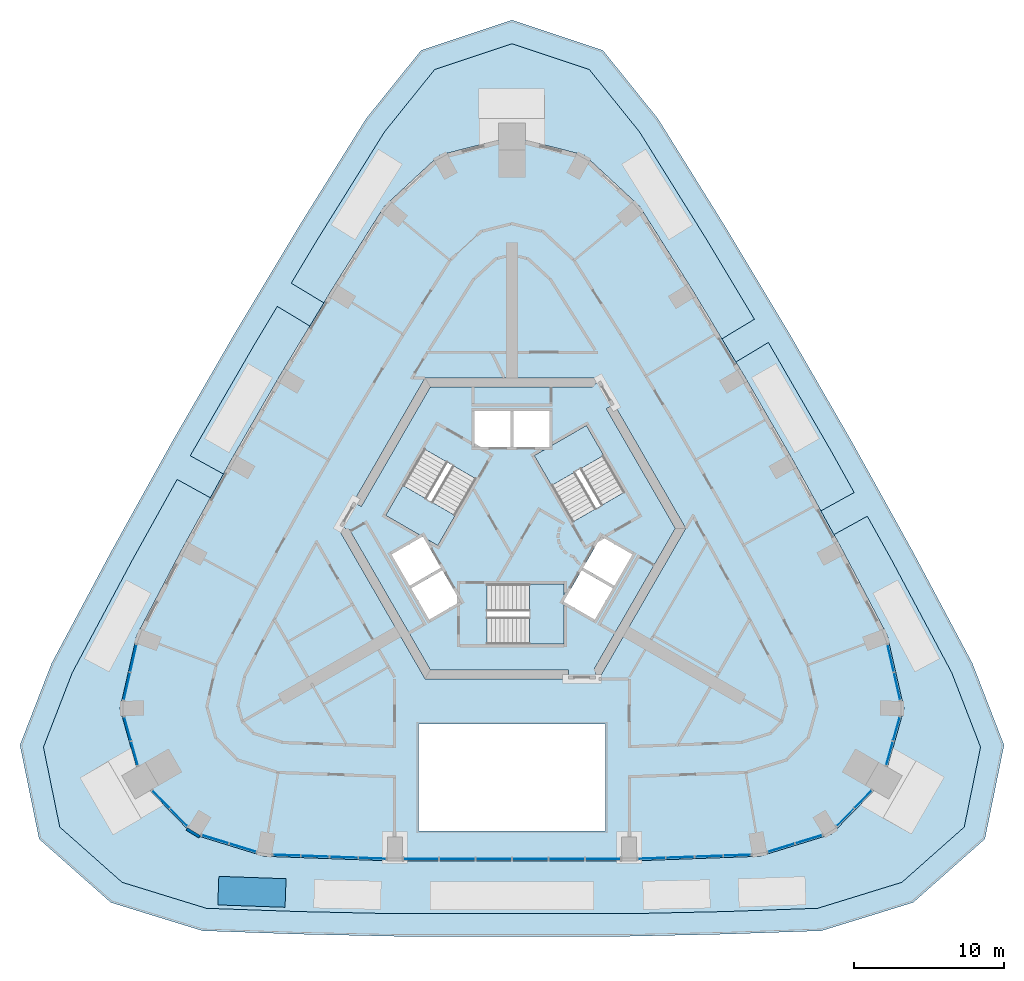
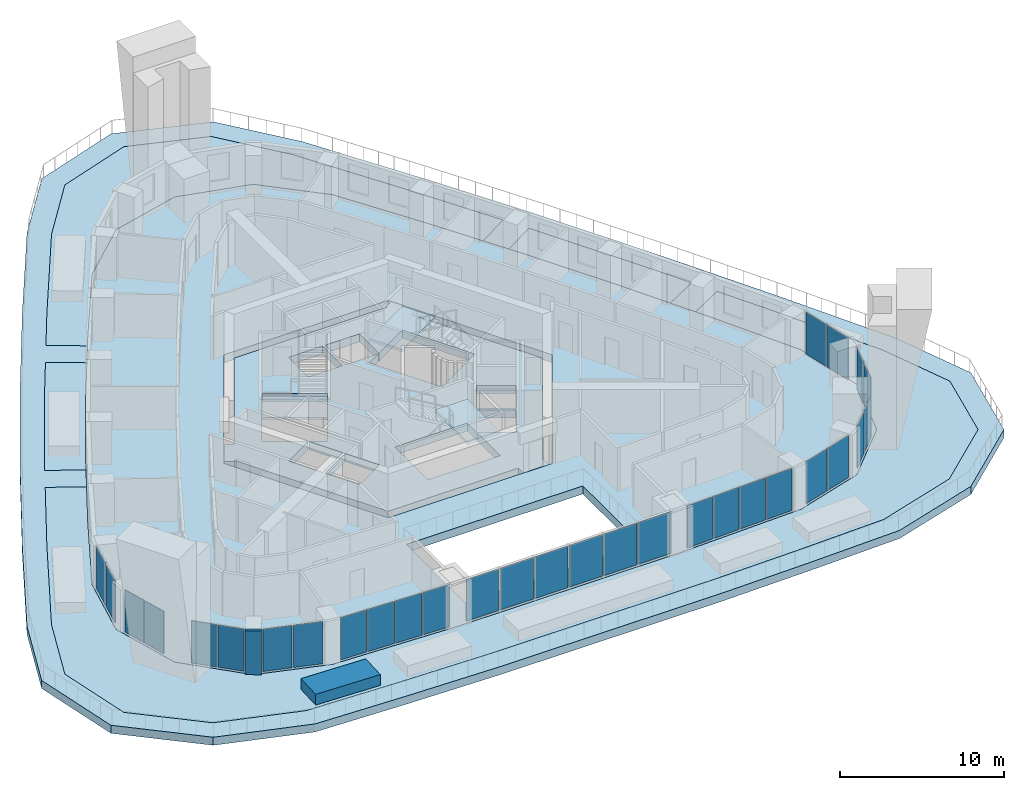
# One storey, part 4 of 14: 30 plates, 10 slabs, 2 walls, 14 elements without a shape of their own.
"""IFC4 building model written with IfcOpenShell, lengths in metres."""

import ifcopenshell
import ifcopenshell.guid

model = None  # the IFC model being written
_history = None  # IfcOwnerHistory: only IFC2X3 demands one
_inside = {}  # id of a spatial element -> (the spatial element, [elements in it])
_under = {}  # id of a project, library or spatial element -> (it, [spatial elements below it])
_declared = {}  # id of a project -> (the project, [libraries it declares])
_typed = {}  # id of a type object -> (the type object, [elements of that type])
_made_of = {}  # id of a material, layer set ... -> (it, [elements and type objects made of it])


def new_model(schema):
    """Start an empty IFC model of exactly this schema.

    Asked for "IFC4X3", IfcOpenShell would pick the latest addendum, in which some entities
    have other attributes; the version numbers below select the first issue.
    IFC2X3 requires an IfcOwnerHistory on every rooted entity: one is made here for all.
    """
    global model, _history
    if schema == "IFC4X3":
        model = ifcopenshell.file(schema_version=(4, 3, 0, 0))
    else:
        model = ifcopenshell.file(schema=schema)
    _inside.clear()
    _under.clear()
    _declared.clear()
    _typed.clear()
    _made_of.clear()
    _history = None
    if model.schema == "IFC2X3":
        org = make("IfcOrganization", Name="unknown")
        user = make(
            "IfcPersonAndOrganization",
            ThePerson=make("IfcPerson", FamilyName="unknown"),
            TheOrganization=org,
        )
        app = make(
            "IfcApplication",
            ApplicationDeveloper=org,
            Version="unknown",
            ApplicationFullName="unknown",
            ApplicationIdentifier="unknown",
        )
        _history = make(
            "IfcOwnerHistory",
            OwningUser=user,
            OwningApplication=app,
            ChangeAction="ADDED",
            CreationDate=0,
        )
    return model


def make(cls, **values):
    """One entity of the class cls with the attributes given. An attribute that is None is left unset."""
    return model.create_entity(
        cls, **{name: value for name, value in values.items() if value is not None}
    )


def rooted(cls, **values):
    """An entity with a GlobalId (a new one), such as an element, a storey or a relation."""
    return make(cls, GlobalId=ifcopenshell.guid.new(), OwnerHistory=_history, **values)


def si_unit(unit_type, name, prefix=None):
    """IfcSIUnit, for example si_unit("LENGTHUNIT", "METRE", prefix="MILLI")."""
    return make("IfcSIUnit", UnitType=unit_type, Prefix=prefix, Name=name)


def assignment(units):
    """IfcUnitAssignment: the units of a project."""
    return None if units is None else make("IfcUnitAssignment", Units=units)


def point(xyz):
    """IfcCartesianPoint."""
    return None if xyz is None else make("IfcCartesianPoint", Coordinates=xyz)


def direction(xyz):
    """IfcDirection."""
    return None if xyz is None else make("IfcDirection", DirectionRatios=xyz)


def frame(location, z_axis=None, x_axis=None):
    """IfcAxis2Placement3D, a coordinate frame: its origin and axes. An axis left out is left unset."""
    return make(
        "IfcAxis2Placement3D",
        Location=point(location),
        Axis=direction(z_axis),
        RefDirection=direction(x_axis),
    )


def frame_2d(location, x_axis=None):
    """IfcAxis2Placement2D, a coordinate frame in the plane: its origin and x axis."""
    return make(
        "IfcAxis2Placement2D", Location=point(location), RefDirection=direction(x_axis)
    )


def origin():
    """The frame at (0, 0, 0) with its axes left unset."""
    return frame((0.0, 0.0, 0.0))


def origin_2d():
    """The frame at (0, 0) in the plane with its x axis left unset."""
    return frame_2d((0.0, 0.0))


def place(relative_to, where):
    """IfcLocalPlacement: puts the frame where relative to a parent placement (None: the world)."""
    return make(
        "IfcLocalPlacement", PlacementRelTo=relative_to, RelativePlacement=where
    )


def context(
    kind, dimensions, precision=None, world=None, true_north=None, identifier=None
):
    """IfcGeometricRepresentationContext, for example the 3D "Model" context."""
    return make(
        "IfcGeometricRepresentationContext",
        ContextIdentifier=identifier,
        ContextType=kind,
        CoordinateSpaceDimension=dimensions,
        Precision=precision,
        WorldCoordinateSystem=world,
        TrueNorth=true_north,
    )


def subcontext(parent, identifier, kind, view, scale=None):
    """IfcGeometricRepresentationSubContext, for example "Body" below "Model"."""
    return make(
        "IfcGeometricRepresentationSubContext",
        ContextIdentifier=identifier,
        ContextType=kind,
        ParentContext=parent,
        TargetScale=scale,
        TargetView=view,
    )


def project(units=None, contexts=None):
    """IfcProject with its units and contexts."""
    return rooted(
        "IfcProject",
        Name="project",
        RepresentationContexts=contexts,
        UnitsInContext=assignment(units),
    )


def spatial(cls, under=None, at=None, **own):
    """A site, building, storey or space (cls), placed at a placement, below another one or the project."""
    s = rooted(cls, ObjectPlacement=at, **own)
    if under is not None:
        _under.setdefault(under.id(), (under, []))[1].append(s)
    return s


def polyline(points):
    """IfcPolyline through the points."""
    return make("IfcPolyline", Points=[point(p) for p in points])


def profile(cls, at=None, kind="AREA", **sizes):
    """A parametric profile (cls). Its sizes go by their IFC names, for example OverallWidth=200.0."""
    return make(cls, ProfileType=kind, Position=at, **sizes)


def rectangle(**sizes):
    """IfcRectangleProfileDef."""
    return profile("IfcRectangleProfileDef", **sizes)


def outline(outer, holes=None, kind="AREA"):
    """IfcArbitraryClosedProfileDef: a profile drawn as a closed curve; with holes, ...WithVoids."""
    if holes is None:
        return make("IfcArbitraryClosedProfileDef", ProfileType=kind, OuterCurve=outer)
    return make(
        "IfcArbitraryProfileDefWithVoids",
        ProfileType=kind,
        OuterCurve=outer,
        InnerCurves=holes,
    )


def extrude(swept, where, along, depth):
    """IfcExtrudedAreaSolid: the profile swept, set in the frame where, extruded along a direction by depth."""
    return make(
        "IfcExtrudedAreaSolid",
        SweptArea=swept,
        Position=where,
        ExtrudedDirection=direction(along),
        Depth=depth,
    )


def shape(context_of_items, identifier, shape_type, items):
    """IfcShapeRepresentation: the items that make up one representation, for example the "Body"."""
    return make(
        "IfcShapeRepresentation",
        ContextOfItems=context_of_items,
        RepresentationIdentifier=identifier,
        RepresentationType=shape_type,
        Items=items,
    )


def material(Name=None, Category=None):
    """IfcMaterial."""
    return make("IfcMaterial", Name=Name, Category=Category)


def layer(
    of_material, thickness, ventilated=None, Name=None, Category=None, Priority=None
):
    """IfcMaterialLayer: one layer of a wall or slab, of a material (None: an air gap)."""
    return make(
        "IfcMaterialLayer",
        Material=of_material,
        LayerThickness=thickness,
        IsVentilated=ventilated,
        Name=Name,
        Category=Category,
        Priority=Priority,
    )


def layer_set(layers, Name=None):
    """IfcMaterialLayerSet."""
    return make("IfcMaterialLayerSet", MaterialLayers=layers, LayerSetName=Name)


def made_of(thing, what):
    """Note that an element or type object is made of a material, layer set ...; save() writes the relation."""
    if what is not None:
        _made_of.setdefault(what.id(), (what, []))[1].append(thing)
    return thing


def type_object(cls, material=None, **own):
    """A type object (cls), such as IfcWallType, which elements share."""
    return made_of(rooted(cls, **own), material)


def element(
    cls,
    number,
    at=None,
    inside=None,
    cuts=None,
    type_object=None,
    material=None,
    context=None,
    identifier="Body",
    shape_type=None,
    held_by="IfcProductDefinitionShape",
    body=None,
    shapes=None,
    **own,
):
    """One element of the class cls, such as IfcWall. Its Tag is "e" and its number.

    at: its placement. inside: the storey or other place that contains it. cuts: it is an
    opening in that element (IfcRelVoidsElement). A single representation is given by context,
    identifier, shape_type and body (its items); several are given by shapes. held_by: the class
    of the entity that holds the representations. save() writes the other relations.
    """
    e = rooted(cls, Tag="e%d" % number, ObjectPlacement=at, **own)
    if body is not None:
        shapes = [shape(context, identifier, shape_type, body)]
    if shapes is not None:
        e.Representation = make(held_by, Representations=shapes)
    if inside is not None:
        _inside.setdefault(inside.id(), (inside, []))[1].append(e)
    if cuts is not None:
        rooted(
            "IfcRelVoidsElement", RelatingBuildingElement=cuts, RelatedOpeningElement=e
        )
    if type_object is not None:
        _typed.setdefault(type_object.id(), (type_object, []))[1].append(e)
    return made_of(e, material)


def aggregate(whole, parts):
    """IfcRelAggregates: a whole, such as a stair, and the parts it consists of."""
    return rooted("IfcRelAggregates", RelatingObject=whole, RelatedObjects=parts)


def save(model, path):
    """Write the relations noted so far, then the file.

    IfcRelAggregates (storeys below a building ...), IfcRelContainedInSpatialStructure (elements
    in a storey), IfcRelDefinesByType, IfcRelAssociatesMaterial and IfcRelDeclares: one each for
    every whole, place, type object, material and project.
    """
    for whole, parts in _under.values():
        aggregate(whole, parts)
    for where, things in _inside.values():
        rooted(
            "IfcRelContainedInSpatialStructure",
            RelatedElements=things,
            RelatingStructure=where,
        )
    for kind, things in _typed.values():
        rooted("IfcRelDefinesByType", RelatedObjects=things, RelatingType=kind)
    for what, things in _made_of.values():
        rooted("IfcRelAssociatesMaterial", RelatedObjects=things, RelatingMaterial=what)
    for by, libraries in _declared.values():
        rooted("IfcRelDeclares", RelatingContext=by, RelatedDefinitions=libraries)
    model.write(path)


model = new_model("IFC4")

# Units and contexts
model_context = context("Model", 3, precision=1e-05, world=origin(), true_north=direction((0.0, 1.0)))
body_context = subcontext(model_context, "Body", "Model", "MODEL_VIEW")
ifc_project = project(units=[si_unit("LENGTHUNIT", "METRE"), si_unit("AREAUNIT", "SQUARE_METRE"), si_unit("VOLUMEUNIT", "CUBIC_METRE"), si_unit("PLANEANGLEUNIT", "RADIAN"), si_unit("MASSUNIT", "GRAM", prefix="KILO")], contexts=[model_context])

# Site, building, storey
site_placement = place(None, origin())
site = spatial("IfcSite", under=ifc_project, at=site_placement, CompositionType="ELEMENT")
building_placement = place(site_placement, origin())
building = spatial("IfcBuilding", under=site, at=building_placement, Name="Entoto Arch Interchange Tower", CompositionType="ELEMENT")
storey_placement = place(building_placement, frame((0.0, 0.0, 241.39990234375)))
storey = spatial("IfcBuildingStorey", under=building, at=storey_placement, Name="L54", CompositionType="ELEMENT", Elevation=241.39990234375)

# Slab
ifc_material_1 = material(Name="Concrete C40/50", Category="concrete")
ifc_layer_1 = layer(ifc_material_1, 0.60009765625)
ifc_layer_set_1 = layer_set([ifc_layer_1], Name="Concrete C40/50")
slab_type_1 = type_object("IfcSlabType", Name="Core floor slab 600 C40/50", PredefinedType="FLOOR", material=ifc_layer_set_1)
slab_1_placement = place(storey_placement, frame((0.0, 0.0, -0.599853515625)))
element("IfcSlab", 1, at=slab_1_placement, inside=storey, type_object=slab_type_1, Name="Core floor slab L54", PredefinedType="FLOOR", context=body_context, shape_type="SweptSolid", body=[
    extrude(outline(polyline([(-10.824951171875, 2.450927734375), (-10.8701171875, 2.3740234375), (-11.431884765625, 2.698974609375), (-10.535888671875, 4.2529296875), (-10.014892578125, 3.952880859375), (-5.427001953125, 11.89990234375), (5.368896484375, 11.89990234375), (5.325927734375, 11.97607421875), (5.887939453125, 12.301025390625), (6.784912109375, 10.7470703125), (6.26611328125, 10.447021484375), (10.85400390625, 2.5), (5.4560546875, -6.85009765625), (5.5439453125, -6.85009765625), (5.5439453125, -7.5), (3.75, -7.5), (3.75, -6.89990234375), (-5.427001953125, -6.89990234375), (-10.824951171875, 2.450927734375)]), holes=[polyline([(-1.64990234375, -5.199951171875), (3.449951171875, -5.199951171875), (3.449951171875, -2.3779296875), (5.5048828125, -3.56494140625), (6.705078125, -1.487060546875), (4.626953125, -0.287109375), (3.449951171875, -2.324951171875), (3.449951171875, -1.199951171875), (-1.64990234375, -1.199951171875), (-1.64990234375, -5.199951171875)]), polyline([(-4.626953125, -0.287109375), (-6.705078125, -1.487060546875), (-5.5048828125, -3.56494140625), (-3.427001953125, -2.364990234375), (-4.626953125, -0.287109375)]), polyline([(-5.904052734375, 1.925048828125), (-4.928955078125, 1.362060546875), (-2.37890625, 5.779052734375), (-5.843017578125, 7.779052734375), (-8.39306640625, 3.362060546875), (-5.949951171875, 1.951904296875), (-8.0048828125, 0.764892578125), (-6.804931640625, -1.31298828125), (-4.72705078125, -0.113037109375), (-5.904052734375, 1.925048828125)]), polyline([(4.72705078125, -0.113037109375), (6.804931640625, -1.31298828125), (8.0048828125, 0.764892578125), (5.927001953125, 1.965087890625), (4.72705078125, -0.113037109375)]), polyline([(2.5, 7.927001953125), (2.5, 10.300048828125), (0.10009765625, 10.300048828125), (0.10009765625, 7.89990234375), (2.452880859375, 7.89990234375), (1.47900390625, 7.337890625), (4.029052734375, 2.9208984375), (7.492919921875, 4.9208984375), (4.943115234375, 9.337890625), (2.5, 7.927001953125)]), polyline([(-2.5, 7.89990234375), (-0.10009765625, 7.89990234375), (-0.10009765625, 10.300048828125), (-2.5, 10.300048828125), (-2.5, 7.89990234375)])]), origin(), (0.0, 0.0, 1.0), 0.599853515625),
])

# Stair, slab
stair_type = type_object("IfcStairType", Name="EXIT STAIR RC 1800", PredefinedType="HALF_TURN_STAIR", material=ifc_material_1)
stair_1_placement = place(storey_placement, origin())
stair_1 = element("IfcStair", 2, at=stair_1_placement, inside=storey, type_object=stair_type, Name="L54 Exit stair S", PredefinedType="HALF_TURN_STAIR")
ifc_layer_2 = layer(ifc_material_1, 0.199951171875)
ifc_layer_set_2 = layer_set([ifc_layer_2], Name="Concrete C40/50")
slab_type_2 = type_object("IfcSlabType", Name="EXIT STAIR LANDING RC 200", PredefinedType="LANDING", material=ifc_layer_set_2)
slab_2_placement = place(storey_placement, frame((0.0, 0.0, 1.60009765625)))
slab_2 = element("IfcSlab", 3, at=slab_2_placement, type_object=slab_type_2, Name="ST-S landing 1", PredefinedType="LANDING", context=body_context, shape_type="SweptSolid", body=[
    extrude(outline(polyline([(1.14990234375, -5.199951171875), (3.449951171875, -5.199951171875), (3.449951171875, -1.199951171875), (1.14990234375, -1.199951171875), (1.14990234375, -5.199951171875)])), origin(), (0.0, 0.0, 1.0), 0.199951171875),
])
aggregate(stair_1, [slab_2])

stair_2_placement = place(storey_placement, origin())
stair_2 = element("IfcStair", 4, at=stair_2_placement, inside=storey, type_object=stair_type, Name="L54 Exit stair NE", PredefinedType="HALF_TURN_STAIR")
slab_3_placement = place(storey_placement, frame((0.0, 0.0, 1.60009765625)))
slab_3 = element("IfcSlab", 5, at=slab_3_placement, type_object=slab_type_2, Name="ST-NE landing 1", PredefinedType="LANDING", context=body_context, shape_type="SweptSolid", body=[
    extrude(outline(polyline([(6.093505859375, 7.345947265625), (4.943359375, 9.337890625), (1.479248046875, 7.337890625), (2.62939453125, 5.345947265625), (6.093505859375, 7.345947265625)])), origin(), (0.0, 0.0, 1.0), 0.199951171875),
])
aggregate(stair_2, [slab_3])

stair_3_placement = place(storey_placement, origin())
stair_3 = element("IfcStair", 6, at=stair_3_placement, inside=storey, type_object=stair_type, Name="L54 Exit stair NW", PredefinedType="HALF_TURN_STAIR")
slab_4_placement = place(storey_placement, frame((0.0, 0.0, 1.60009765625)))
slab_4 = element("IfcSlab", 7, at=slab_4_placement, type_object=slab_type_2, Name="ST-NW landing 1", PredefinedType="LANDING", context=body_context, shape_type="SweptSolid", body=[
    extrude(outline(polyline([(-7.243408203125, 5.35400390625), (-8.393310546875, 3.3623046875), (-4.92919921875, 1.3623046875), (-3.779296875, 3.35400390625), (-7.243408203125, 5.35400390625)])), origin(), (0.0, 0.0, 1.0), 0.199951171875),
])
aggregate(stair_3, [slab_4])

# Curtain wall, plates
ifc_material_2 = material(Name="Aluminium, anodised", Category="aluminium")
curtain_wall_type_1 = type_object("IfcCurtainWallType", Name="CURTAIN WALL ATRIUM", PredefinedType="NOTDEFINED", material=ifc_material_2)
curtain_wall_1_placement = place(storey_placement, origin())
curtain_wall_1 = element("IfcCurtainWall", 8, at=curtain_wall_1_placement, inside=storey, type_object=curtain_wall_type_1, Name="Atrium glazing S-02 L54", PredefinedType="NOTDEFINED")
ifc_material_3 = material(Name="Clear glass, low-e double glazed", Category="glass")
ifc_layer_3 = layer(ifc_material_3, 0.031982421875)
ifc_layer_set_3 = layer_set([ifc_layer_3], Name="Clear glass, low-e double glazed")
plate_type_1 = type_object("IfcPlateType", Name="GLAZING PANEL ATRIUM 32", PredefinedType="CURTAIN_PANEL", material=ifc_layer_set_3)
plate_1_placement = place(storey_placement, frame((-6.0576171875, -19.48291015625, 0.080078125), z_axis=(0.0, 0.0, 1.0), x_axis=(1.0, 0.0, 0.0)))
plate_1 = element("IfcPlate", 9, at=plate_1_placement, type_object=plate_type_1, Name="CWA panel 1.1", PredefinedType="CURTAIN_PANEL", context=body_context, shape_type="SweptSolid", body=[
    extrude(rectangle(XDim=2.282958984375, YDim=0.031982421875, at=origin_2d()), origin(), (0.0, 0.0, 1.0), 3.10009765625),
])
plate_2_placement = place(storey_placement, frame((-3.6494140625, -19.48291015625, 0.080078125), z_axis=(0.0, 0.0, 1.0), x_axis=(1.0, 0.0, 0.0)))
plate_2 = element("IfcPlate", 10, at=plate_2_placement, type_object=plate_type_1, Name="CWA panel 2.1", PredefinedType="CURTAIN_PANEL", context=body_context, shape_type="SweptSolid", body=[
    extrude(rectangle(XDim=2.3330078125, YDim=0.031982421875, at=origin_2d()), origin(), (0.0, 0.0, 1.0), 3.10009765625),
])
plate_3_placement = place(storey_placement, frame((-1.216552734375, -19.48291015625, 0.080078125), z_axis=(0.0, 0.0, 1.0), x_axis=(1.0, 0.0, 0.0)))
plate_3 = element("IfcPlate", 11, at=plate_3_placement, type_object=plate_type_1, Name="CWA panel 3.1", PredefinedType="CURTAIN_PANEL", context=body_context, shape_type="SweptSolid", body=[
    extrude(rectangle(XDim=2.3330078125, YDim=0.031982421875, at=origin_2d()), origin(), (0.0, 0.0, 1.0), 3.10009765625),
])
plate_4_placement = place(storey_placement, frame((1.216552734375, -19.48291015625, 0.080078125), z_axis=(0.0, 0.0, 1.0), x_axis=(1.0, 0.0, 0.0)))
plate_4 = element("IfcPlate", 12, at=plate_4_placement, type_object=plate_type_1, Name="CWA panel 4.1", PredefinedType="CURTAIN_PANEL", context=body_context, shape_type="SweptSolid", body=[
    extrude(rectangle(XDim=2.3330078125, YDim=0.031982421875, at=origin_2d()), origin(), (0.0, 0.0, 1.0), 3.10009765625),
])
plate_5_placement = place(storey_placement, frame((3.6494140625, -19.48291015625, 0.080078125), z_axis=(0.0, 0.0, 1.0), x_axis=(1.0, 0.0, 0.0)))
plate_5 = element("IfcPlate", 13, at=plate_5_placement, type_object=plate_type_1, Name="CWA panel 5.1", PredefinedType="CURTAIN_PANEL", context=body_context, shape_type="SweptSolid", body=[
    extrude(rectangle(XDim=2.3330078125, YDim=0.031982421875, at=origin_2d()), origin(), (0.0, 0.0, 1.0), 3.10009765625),
])
plate_6_placement = place(storey_placement, frame((6.0576171875, -19.48291015625, 0.080078125), z_axis=(0.0, 0.0, 1.0), x_axis=(1.0, 0.0, 0.0)))
plate_6 = element("IfcPlate", 14, at=plate_6_placement, type_object=plate_type_1, Name="CWA panel 6.1", PredefinedType="CURTAIN_PANEL", context=body_context, shape_type="SweptSolid", body=[
    extrude(rectangle(XDim=2.282958984375, YDim=0.031982421875, at=origin_2d()), origin(), (0.0, 0.0, 1.0), 3.10009765625),
])
aggregate(curtain_wall_1, [plate_1, plate_2, plate_3, plate_4, plate_5, plate_6])

curtain_wall_type_2 = type_object("IfcCurtainWallType", Name="CURTAIN WALL HOTEL LOBBY", PredefinedType="NOTDEFINED", material=ifc_material_2)
curtain_wall_2_placement = place(storey_placement, origin())
curtain_wall_2 = element("IfcCurtainWall", 15, at=curtain_wall_2_placement, inside=storey, type_object=curtain_wall_type_2, Name="Hotel Lobby glazing S-01 L54", PredefinedType="NOTDEFINED")
ifc_layer_4 = layer(ifc_material_3, 0.028076171875)
ifc_layer_set_4 = layer_set([ifc_layer_4], Name="Clear glass, low-e double glazed")
plate_type_2 = type_object("IfcPlateType", Name="GLAZING PANEL HOTEL LOBBY 28", PredefinedType="CURTAIN_PANEL", material=ifc_layer_set_4)
plate_7_placement = place(storey_placement, frame((-14.978515625, -19.220703125, 0.06005859375), z_axis=(0.0, 0.0, 1.0), x_axis=(0.999332588664, -0.036529128561, 0.0)))
plate_7 = element("IfcPlate", 16, at=plate_7_placement, type_object=plate_type_2, Name="CWH panel 1.1", PredefinedType="CURTAIN_PANEL", context=body_context, shape_type="SweptSolid", body=[
    extrude(rectangle(XDim=1.79638671875, YDim=0.028076171875, at=origin_2d()), origin(), (0.0, 0.0, 1.0), 3.139892578125),
])
plate_8_placement = place(storey_placement, frame((-13.08349609375, -19.2900390625, 0.06005859375), z_axis=(0.0, 0.0, 1.0), x_axis=(0.999332588664, -0.036529128561, 0.0)))
plate_8 = element("IfcPlate", 17, at=plate_8_placement, type_object=plate_type_2, Name="CWH panel 2.1", PredefinedType="CURTAIN_PANEL", context=body_context, shape_type="SweptSolid", body=[
    extrude(rectangle(XDim=1.836181640625, YDim=0.028076171875, at=origin_2d()), origin(), (0.0, 0.0, 1.0), 3.139892578125),
])
plate_9_placement = place(storey_placement, frame((-11.16845703125, -19.360107421875, 0.06005859375), z_axis=(0.0, 0.0, 1.0), x_axis=(0.999332588664, -0.036529128561, 0.0)))
plate_9 = element("IfcPlate", 18, at=plate_9_placement, type_object=plate_type_2, Name="CWH panel 3.1", PredefinedType="CURTAIN_PANEL", context=body_context, shape_type="SweptSolid", body=[
    extrude(rectangle(XDim=1.836181640625, YDim=0.028076171875, at=origin_2d()), origin(), (0.0, 0.0, 1.0), 3.139892578125),
])
plate_10_placement = place(storey_placement, frame((-9.2734375, -19.42919921875, 0.06005859375), z_axis=(0.0, 0.0, 1.0), x_axis=(0.999332588664, -0.036529128561, 0.0)))
plate_10 = element("IfcPlate", 19, at=plate_10_placement, type_object=plate_type_2, Name="CWH panel 4.1", PredefinedType="CURTAIN_PANEL", context=body_context, shape_type="SweptSolid", body=[
    extrude(rectangle(XDim=1.79638671875, YDim=0.028076171875, at=origin_2d()), origin(), (0.0, 0.0, 1.0), 3.139892578125),
])
aggregate(curtain_wall_2, [plate_7, plate_8, plate_9, plate_10])

curtain_wall_3_placement = place(storey_placement, origin())
curtain_wall_3 = element("IfcCurtainWall", 20, at=curtain_wall_3_placement, inside=storey, type_object=curtain_wall_type_2, Name="Hotel Lobby glazing S-03 L54", PredefinedType="NOTDEFINED")
plate_11_placement = place(storey_placement, frame((9.2734375, -19.42919921875, 0.06005859375), z_axis=(0.0, 0.0, 1.0), x_axis=(0.999332588664, 0.036529128561, 0.0)))
plate_11 = element("IfcPlate", 21, at=plate_11_placement, type_object=plate_type_2, Name="CWH panel 1.1", PredefinedType="CURTAIN_PANEL", context=body_context, shape_type="SweptSolid", body=[
    extrude(rectangle(XDim=1.79638671875, YDim=0.028076171875, at=origin_2d()), origin(), (0.0, 0.0, 1.0), 3.139892578125),
])
plate_12_placement = place(storey_placement, frame((11.16845703125, -19.360107421875, 0.06005859375), z_axis=(0.0, 0.0, 1.0), x_axis=(0.999332588664, 0.036529128561, 0.0)))
plate_12 = element("IfcPlate", 22, at=plate_12_placement, type_object=plate_type_2, Name="CWH panel 2.1", PredefinedType="CURTAIN_PANEL", context=body_context, shape_type="SweptSolid", body=[
    extrude(rectangle(XDim=1.836181640625, YDim=0.028076171875, at=origin_2d()), origin(), (0.0, 0.0, 1.0), 3.139892578125),
])
plate_13_placement = place(storey_placement, frame((13.08349609375, -19.2900390625, 0.06005859375), z_axis=(0.0, 0.0, 1.0), x_axis=(0.999332588664, 0.036529128561, 0.0)))
plate_13 = element("IfcPlate", 23, at=plate_13_placement, type_object=plate_type_2, Name="CWH panel 3.1", PredefinedType="CURTAIN_PANEL", context=body_context, shape_type="SweptSolid", body=[
    extrude(rectangle(XDim=1.836181640625, YDim=0.028076171875, at=origin_2d()), origin(), (0.0, 0.0, 1.0), 3.139892578125),
])
plate_14_placement = place(storey_placement, frame((14.978515625, -19.220703125, 0.06005859375), z_axis=(0.0, 0.0, 1.0), x_axis=(0.999332588664, 0.036529128561, 0.0)))
plate_14 = element("IfcPlate", 24, at=plate_14_placement, type_object=plate_type_2, Name="CWH panel 4.1", PredefinedType="CURTAIN_PANEL", context=body_context, shape_type="SweptSolid", body=[
    extrude(rectangle(XDim=1.79638671875, YDim=0.028076171875, at=origin_2d()), origin(), (0.0, 0.0, 1.0), 3.139892578125),
])
aggregate(curtain_wall_3, [plate_11, plate_12, plate_13, plate_14])

curtain_wall_4_placement = place(storey_placement, origin())
curtain_wall_4 = element("IfcCurtainWall", 25, at=curtain_wall_4_placement, inside=storey, type_object=curtain_wall_type_2, Name="Hotel Lobby glazing SE-01 L54", PredefinedType="NOTDEFINED")
plate_15_placement = place(storey_placement, frame((17.892333984375, -18.724609375, 0.06005859375), z_axis=(0.0, 0.0, 1.0), x_axis=(0.95567931817, 0.294409647977, 0.0)))
plate_15 = element("IfcPlate", 26, at=plate_15_placement, type_object=plate_type_2, Name="CWH panel 1.1", PredefinedType="CURTAIN_PANEL", context=body_context, shape_type="SweptSolid", body=[
    extrude(rectangle(XDim=1.8330078125, YDim=0.028076171875, at=origin_2d()), origin(), (0.0, 0.0, 1.0), 3.139892578125),
])
plate_16_placement = place(storey_placement, frame((19.720703125, -18.161376953125, 0.06005859375), z_axis=(0.0, 0.0, 1.0), x_axis=(0.95567931817, 0.294409647977, 0.0)))
plate_16 = element("IfcPlate", 27, at=plate_16_placement, type_object=plate_type_2, Name="CWH panel 2.1", PredefinedType="CURTAIN_PANEL", context=body_context, shape_type="SweptSolid", body=[
    extrude(rectangle(XDim=1.8330078125, YDim=0.028076171875, at=origin_2d()), origin(), (0.0, 0.0, 1.0), 3.139892578125),
])
aggregate(curtain_wall_4, [plate_15, plate_16])

curtain_wall_5_placement = place(storey_placement, origin())
curtain_wall_5 = element("IfcCurtainWall", 28, at=curtain_wall_5_placement, inside=storey, type_object=curtain_wall_type_2, Name="Hotel Lobby glazing SE-02 L54", PredefinedType="NOTDEFINED")
plate_17_placement = place(storey_placement, frame((22.146728515625, -16.7099609375, 0.06005859375), z_axis=(0.0, 0.0, 1.0), x_axis=(0.698392396883, 0.715715068987, 0.0)))
plate_17 = element("IfcPlate", 29, at=plate_17_placement, type_object=plate_type_2, Name="CWH panel 1.1", PredefinedType="CURTAIN_PANEL", context=body_context, shape_type="SweptSolid", body=[
    extrude(rectangle(XDim=1.61181640625, YDim=0.028076171875, at=origin_2d()), origin(), (0.0, 0.0, 1.0), 3.139892578125),
])
plate_18_placement = place(storey_placement, frame((23.328369140625, -15.4990234375, 0.06005859375), z_axis=(0.0, 0.0, 1.0), x_axis=(0.698392396883, 0.715715068987, 0.0)))
plate_18 = element("IfcPlate", 30, at=plate_18_placement, type_object=plate_type_2, Name="CWH panel 2.1", PredefinedType="CURTAIN_PANEL", context=body_context, shape_type="SweptSolid", body=[
    extrude(rectangle(XDim=1.61181640625, YDim=0.028076171875, at=origin_2d()), origin(), (0.0, 0.0, 1.0), 3.139892578125),
])
aggregate(curtain_wall_5, [plate_17, plate_18])

curtain_wall_6_placement = place(storey_placement, origin())
curtain_wall_6 = element("IfcCurtainWall", 31, at=curtain_wall_6_placement, inside=storey, type_object=curtain_wall_type_2, Name="Hotel Lobby glazing SE-03 L54", PredefinedType="NOTDEFINED")
plate_19_placement = place(storey_placement, frame((25.086181640625, -12.453857421875, 0.06005859375), z_axis=(0.0, 0.0, 1.0), x_axis=(0.2709461181, 0.962594515404, 0.0)))
plate_19 = element("IfcPlate", 32, at=plate_19_placement, type_object=plate_type_2, Name="CWH panel 1.1", PredefinedType="CURTAIN_PANEL", context=body_context, shape_type="SweptSolid", body=[
    extrude(rectangle(XDim=1.61279296875, YDim=0.028076171875, at=origin_2d()), origin(), (0.0, 0.0, 1.0), 3.139892578125),
])
plate_20_placement = place(storey_placement, frame((25.544921875, -10.82421875, 0.06005859375), z_axis=(0.0, 0.0, 1.0), x_axis=(0.2709461181, 0.962594515404, 0.0)))
plate_20 = element("IfcPlate", 33, at=plate_20_placement, type_object=plate_type_2, Name="CWH panel 2.1", PredefinedType="CURTAIN_PANEL", context=body_context, shape_type="SweptSolid", body=[
    extrude(rectangle(XDim=1.61279296875, YDim=0.028076171875, at=origin_2d()), origin(), (0.0, 0.0, 1.0), 3.139892578125),
])
aggregate(curtain_wall_6, [plate_19, plate_20])

curtain_wall_7_placement = place(storey_placement, origin())
curtain_wall_7 = element("IfcCurtainWall", 34, at=curtain_wall_7_placement, inside=storey, type_object=curtain_wall_type_2, Name="Hotel Lobby glazing SE-04 L54", PredefinedType="NOTDEFINED")
plate_21_placement = place(storey_placement, frame((25.588134765625, -7.99755859375, 0.06005859375), z_axis=(0.0, 0.0, 1.0), x_axis=(-0.222727481374, 0.974880746061, 0.0)))
plate_21 = element("IfcPlate", 35, at=plate_21_placement, type_object=plate_type_2, Name="CWH panel 1.1", PredefinedType="CURTAIN_PANEL", context=body_context, shape_type="SweptSolid", body=[
    extrude(rectangle(XDim=1.8330078125, YDim=0.028076171875, at=origin_2d()), origin(), (0.0, 0.0, 1.0), 3.139892578125),
])
plate_22_placement = place(storey_placement, frame((25.161865234375, -6.132568359375, 0.06005859375), z_axis=(0.0, 0.0, 1.0), x_axis=(-0.222727481374, 0.974880746061, 0.0)))
plate_22 = element("IfcPlate", 36, at=plate_22_placement, type_object=plate_type_2, Name="CWH panel 2.1", PredefinedType="CURTAIN_PANEL", context=body_context, shape_type="SweptSolid", body=[
    extrude(rectangle(XDim=1.8330078125, YDim=0.028076171875, at=origin_2d()), origin(), (0.0, 0.0, 1.0), 3.139892578125),
])
aggregate(curtain_wall_7, [plate_21, plate_22])

curtain_wall_8_placement = place(storey_placement, origin())
curtain_wall_8 = element("IfcCurtainWall", 37, at=curtain_wall_8_placement, inside=storey, type_object=curtain_wall_type_2, Name="Hotel Lobby glazing SW-01 L54", PredefinedType="NOTDEFINED")
plate_23_placement = place(storey_placement, frame((-25.161865234375, -6.132568359375, 0.06005859375), z_axis=(0.0, 0.0, 1.0), x_axis=(-0.222727481374, -0.974880746061, 0.0)))
plate_23 = element("IfcPlate", 38, at=plate_23_placement, type_object=plate_type_2, Name="CWH panel 1.1", PredefinedType="CURTAIN_PANEL", context=body_context, shape_type="SweptSolid", body=[
    extrude(rectangle(XDim=1.8330078125, YDim=0.028076171875, at=origin_2d()), origin(), (0.0, 0.0, 1.0), 3.139892578125),
])
plate_24_placement = place(storey_placement, frame((-25.588134765625, -7.99755859375, 0.06005859375), z_axis=(0.0, 0.0, 1.0), x_axis=(-0.222727481374, -0.974880746061, 0.0)))
plate_24 = element("IfcPlate", 39, at=plate_24_placement, type_object=plate_type_2, Name="CWH panel 2.1", PredefinedType="CURTAIN_PANEL", context=body_context, shape_type="SweptSolid", body=[
    extrude(rectangle(XDim=1.8330078125, YDim=0.028076171875, at=origin_2d()), origin(), (0.0, 0.0, 1.0), 3.139892578125),
])
aggregate(curtain_wall_8, [plate_23, plate_24])

curtain_wall_9_placement = place(storey_placement, origin())
curtain_wall_9 = element("IfcCurtainWall", 40, at=curtain_wall_9_placement, inside=storey, type_object=curtain_wall_type_2, Name="Hotel Lobby glazing SW-02 L54", PredefinedType="NOTDEFINED")
plate_25_placement = place(storey_placement, frame((-25.544921875, -10.82421875, 0.06005859375), z_axis=(0.0, 0.0, 1.0), x_axis=(0.2709461181, -0.962594515404, 0.0)))
plate_25 = element("IfcPlate", 41, at=plate_25_placement, type_object=plate_type_2, Name="CWH panel 1.1", PredefinedType="CURTAIN_PANEL", context=body_context, shape_type="SweptSolid", body=[
    extrude(rectangle(XDim=1.61279296875, YDim=0.028076171875, at=origin_2d()), origin(), (0.0, 0.0, 1.0), 3.139892578125),
])
plate_26_placement = place(storey_placement, frame((-25.086181640625, -12.453857421875, 0.06005859375), z_axis=(0.0, 0.0, 1.0), x_axis=(0.2709461181, -0.962594515404, 0.0)))
plate_26 = element("IfcPlate", 42, at=plate_26_placement, type_object=plate_type_2, Name="CWH panel 2.1", PredefinedType="CURTAIN_PANEL", context=body_context, shape_type="SweptSolid", body=[
    extrude(rectangle(XDim=1.61279296875, YDim=0.028076171875, at=origin_2d()), origin(), (0.0, 0.0, 1.0), 3.139892578125),
])
aggregate(curtain_wall_9, [plate_25, plate_26])

curtain_wall_10_placement = place(storey_placement, origin())
curtain_wall_10 = element("IfcCurtainWall", 43, at=curtain_wall_10_placement, inside=storey, type_object=curtain_wall_type_2, Name="Hotel Lobby glazing SW-03 L54", PredefinedType="NOTDEFINED")
plate_27_placement = place(storey_placement, frame((-23.328369140625, -15.4990234375, 0.06005859375), z_axis=(0.0, 0.0, 1.0), x_axis=(0.698392396883, -0.715715068987, 0.0)))
plate_27 = element("IfcPlate", 44, at=plate_27_placement, type_object=plate_type_2, Name="CWH panel 1.1", PredefinedType="CURTAIN_PANEL", context=body_context, shape_type="SweptSolid", body=[
    extrude(rectangle(XDim=1.61181640625, YDim=0.028076171875, at=origin_2d()), origin(), (0.0, 0.0, 1.0), 3.139892578125),
])
plate_28_placement = place(storey_placement, frame((-22.146728515625, -16.7099609375, 0.06005859375), z_axis=(0.0, 0.0, 1.0), x_axis=(0.698392396883, -0.715715068987, 0.0)))
plate_28 = element("IfcPlate", 45, at=plate_28_placement, type_object=plate_type_2, Name="CWH panel 2.1", PredefinedType="CURTAIN_PANEL", context=body_context, shape_type="SweptSolid", body=[
    extrude(rectangle(XDim=1.61181640625, YDim=0.028076171875, at=origin_2d()), origin(), (0.0, 0.0, 1.0), 3.139892578125),
])
aggregate(curtain_wall_10, [plate_27, plate_28])

curtain_wall_11_placement = place(storey_placement, origin())
curtain_wall_11 = element("IfcCurtainWall", 46, at=curtain_wall_11_placement, inside=storey, type_object=curtain_wall_type_2, Name="Hotel Lobby glazing SW-04 L54", PredefinedType="NOTDEFINED")
plate_29_placement = place(storey_placement, frame((-19.720703125, -18.161376953125, 0.06005859375), z_axis=(0.0, 0.0, 1.0), x_axis=(0.95567931817, -0.294409647977, 0.0)))
plate_29 = element("IfcPlate", 47, at=plate_29_placement, type_object=plate_type_2, Name="CWH panel 1.1", PredefinedType="CURTAIN_PANEL", context=body_context, shape_type="SweptSolid", body=[
    extrude(rectangle(XDim=1.8330078125, YDim=0.028076171875, at=origin_2d()), origin(), (0.0, 0.0, 1.0), 3.139892578125),
])
plate_30_placement = place(storey_placement, frame((-17.892333984375, -18.724609375, 0.06005859375), z_axis=(0.0, 0.0, 1.0), x_axis=(0.95567931817, -0.294409647977, 0.0)))
plate_30 = element("IfcPlate", 48, at=plate_30_placement, type_object=plate_type_2, Name="CWH panel 2.1", PredefinedType="CURTAIN_PANEL", context=body_context, shape_type="SweptSolid", body=[
    extrude(rectangle(XDim=1.8330078125, YDim=0.028076171875, at=origin_2d()), origin(), (0.0, 0.0, 1.0), 3.139892578125),
])
aggregate(curtain_wall_11, [plate_29, plate_30])

# Slabs
ifc_layer_5 = layer(ifc_material_1, 0.60009765625)
ifc_layer_set_5 = layer_set([ifc_layer_5], Name="Concrete C40/50")
slab_type_3 = type_object("IfcSlabType", Name="Post-tensioned flat plate 600 C40/50", PredefinedType="FLOOR", material=ifc_layer_set_5)
slab_5_placement = place(storey_placement, frame((0.0, 0.0, -0.599853515625)))
element("IfcSlab", 49, at=slab_5_placement, inside=storey, type_object=slab_type_3, Name="Floor slab L54", PredefinedType="FLOOR", context=body_context, shape_type="SweptSolid", body=[
    extrude(outline(polyline([(-16.47998046875, -19.291015625), (-7.800048828125, -19.60791015625), (7.800048828125, -19.60791015625), (16.47998046875, -19.291015625), (21.23388671875, -17.824951171875), (24.70703125, -14.264892578125), (26.053955078125, -9.47607421875), (24.946044921875, -4.626953125), (21.8779296875, 1.2109375), (18.695068359375, 6.986083984375), (15.39794921875, 12.697021484375), (11.988037109375, 18.342041015625), (8.466064453125, 23.91796875), (4.820068359375, 27.302001953125), (0.0, 28.529052734375), (-4.820068359375, 27.302001953125), (-8.466064453125, 23.91796875), (-11.988037109375, 18.342041015625), (-15.39794921875, 12.697021484375), (-18.695068359375, 6.986083984375), (-21.8779296875, 1.2109375), (-24.946044921875, -4.626953125), (-26.053955078125, -9.47607421875), (-24.70703125, -14.264892578125), (-21.23388671875, -17.824951171875), (-16.47998046875, -19.291015625)]), holes=[polyline([(6.199951171875, -17.60791015625), (6.199951171875, -10.5), (-6.199951171875, -10.5), (-6.199951171875, -17.60791015625), (6.199951171875, -17.60791015625)]), polyline([(11.547119140625, 2.5), (5.77392578125, 12.5), (-5.77392578125, 12.5), (-11.547119140625, 2.5), (-5.77392578125, -7.5), (5.77392578125, -7.5), (11.547119140625, 2.5)])]), origin(), (0.0, 0.0, 1.0), 0.599853515625),
])
ifc_layer_6 = layer(ifc_material_1, 0.60009765625)
ifc_layer_set_6 = layer_set([ifc_layer_6], Name="Concrete C40/50")
slab_type_4 = type_object("IfcSlabType", Name="Post-tensioned planter bed slab 600 C40/50", PredefinedType="ROOF", material=ifc_layer_set_6)
slab_6_placement = place(storey_placement, frame((0.0, 0.0, -0.599853515625)))
element("IfcSlab", 50, at=slab_6_placement, inside=storey, type_object=slab_type_4, Name="Planter bed slab L54", PredefinedType="ROOF", context=body_context, shape_type="SweptSolid", body=[
    extrude(outline(polyline([(7.800048828125, -19.60791015625), (-7.800048828125, -19.60791015625), (-16.47998046875, -19.291015625), (-21.23388671875, -17.824951171875), (-24.70703125, -14.264892578125), (-26.053955078125, -9.47607421875), (-24.946044921875, -4.626953125), (-21.8779296875, 1.2109375), (-20.0458984375, 4.534912109375), (-22.25390625, 5.751953125), (-25.27099609375, 0.318115234375), (-29.219970703125, -7.0859375), (-31.136962890625, -12.0380859375), (-30.052978515625, -17.35009765625), (-25.906982421875, -21.02294921875), (-20.31689453125, -22.7470703125), (-14.14208984375, -22.965087890625), (-7.782958984375, -23.10595703125), (7.782958984375, -23.10595703125), (14.14208984375, -22.965087890625), (20.31689453125, -22.7470703125), (25.906982421875, -21.02294921875), (30.052978515625, -17.35009765625), (31.136962890625, -12.0380859375), (29.219970703125, -7.0859375), (25.27099609375, 0.318115234375), (23.612060546875, 3.306884765625), (21.39599609375, 2.0859375), (21.8779296875, 1.2109375), (24.946044921875, -4.626953125), (26.053955078125, -9.47607421875), (24.70703125, -14.264892578125), (21.23388671875, -17.824951171875), (16.47998046875, -19.291015625), (7.800048828125, -19.60791015625)])), origin(), (0.0, 0.0, 1.0), 0.599853515625),
])
slab_7_placement = place(storey_placement, frame((0.0, 0.0, -0.599853515625)))
element("IfcSlab", 51, at=slab_7_placement, inside=storey, type_object=slab_type_4, Name="Planter bed slab L54", PredefinedType="ROOF", context=body_context, shape_type="SweptSolid", body=[
    extrude(outline(polyline([(20.527099609375, 3.662109375), (22.738037109375, 4.8798828125), (21.27099609375, 7.52294921875), (17.14990234375, 14.659912109375), (17.033935546875, 14.85302734375), (14.881103515625, 13.552978515625), (15.39794921875, 12.697021484375), (18.695068359375, 6.986083984375), (20.527099609375, 3.662109375)])), origin(), (0.0, 0.0, 1.0), 0.599853515625),
])
slab_8_placement = place(storey_placement, frame((0.0, 0.0, -0.599853515625)))
element("IfcSlab", 52, at=slab_8_placement, inside=storey, type_object=slab_type_4, Name="Planter bed slab L54", PredefinedType="ROOF", context=body_context, shape_type="SweptSolid", body=[
    extrude(outline(polyline([(-19.177001953125, 6.111083984375), (-18.695068359375, 6.986083984375), (-15.39794921875, 12.697021484375), (-13.43505859375, 15.946044921875), (-15.595947265625, 17.2509765625), (-17.14990234375, 14.659912109375), (-21.27099609375, 7.52294921875), (-21.3798828125, 7.325927734375), (-19.177001953125, 6.111083984375)])), origin(), (0.0, 0.0, 1.0), 0.599853515625),
])
slab_9_placement = place(storey_placement, frame((0.0, 0.0, -0.599853515625)))
element("IfcSlab", 53, at=slab_9_placement, inside=storey, type_object=slab_type_4, Name="Planter bed slab L54", PredefinedType="ROOF", context=body_context, shape_type="SweptSolid", body=[
    extrude(outline(polyline([(11.988037109375, 18.342041015625), (13.949951171875, 15.093017578125), (16.10888671875, 16.39697265625), (12.910888671875, 21.72705078125), (8.472900390625, 28.847900390625), (5.14306640625, 32.986083984375), (0.0, 34.701904296875), (-5.14306640625, 32.986083984375), (-8.472900390625, 28.847900390625), (-12.910888671875, 21.72705078125), (-14.669921875, 18.794921875), (-12.5048828125, 17.487060546875), (-11.988037109375, 18.342041015625), (-8.466064453125, 23.91796875), (-4.820068359375, 27.302001953125), (0.0, 28.529052734375), (4.820068359375, 27.302001953125), (8.466064453125, 23.91796875), (11.988037109375, 18.342041015625)])), origin(), (0.0, 0.0, 1.0), 0.599853515625),
])
ifc_layer_7 = layer(ifc_material_1, 0.60009765625)
ifc_layer_set_7 = layer_set([ifc_layer_7], Name="Concrete C40/50")
slab_type_5 = type_object("IfcSlabType", Name="Post-tensioned terrace slab 600 C40/50", PredefinedType="FLOOR", material=ifc_layer_set_7)
slab_10_placement = place(storey_placement, frame((0.0, 0.0, -0.599853515625)))
element("IfcSlab", 54, at=slab_10_placement, inside=storey, type_object=slab_type_5, Name="Ring terrace slab L54", PredefinedType="FLOOR", context=body_context, shape_type="SweptSolid", body=[
    extrude(outline(polyline([(-22.575927734375, 8.261962890625), (-26.589111328125, 1.034912109375), (-30.5859375, -6.4599609375), (-32.695068359375, -11.906982421875), (-31.422119140625, -18.14111328125), (-26.658935546875, -22.361083984375), (-20.569091796875, -24.239013671875), (-14.18505859375, -24.464111328125), (-7.800048828125, -24.60595703125), (7.800048828125, -24.60595703125), (14.18505859375, -24.464111328125), (20.569091796875, -24.239013671875), (26.658935546875, -22.361083984375), (31.422119140625, -18.14111328125), (32.695068359375, -11.906982421875), (30.5859375, -6.4599609375), (26.589111328125, 1.034912109375), (22.575927734375, 8.261962890625), (18.443115234375, 15.4208984375), (14.19091796875, 22.510009765625), (9.697998046875, 29.718017578125), (6.034912109375, 34.26904296875), (0.0, 36.282958984375), (-6.034912109375, 34.26904296875), (-9.697998046875, 29.718017578125), (-14.19091796875, 22.510009765625), (-18.443115234375, 15.4208984375), (-22.575927734375, 8.261962890625)]), holes=[polyline([(17.14990234375, 14.659912109375), (17.033935546875, 14.85302734375), (14.881103515625, 13.552978515625), (13.949951171875, 15.093017578125), (16.10888671875, 16.39697265625), (12.910888671875, 21.72705078125), (8.472900390625, 28.847900390625), (5.14306640625, 32.986083984375), (0.0, 34.701904296875), (-5.14306640625, 32.986083984375), (-8.472900390625, 28.847900390625), (-12.910888671875, 21.72705078125), (-14.669921875, 18.794921875), (-12.5048828125, 17.487060546875), (-13.43505859375, 15.946044921875), (-15.595947265625, 17.2509765625), (-17.14990234375, 14.659912109375), (-21.27099609375, 7.52294921875), (-21.3798828125, 7.325927734375), (-19.177001953125, 6.111083984375), (-20.0458984375, 4.534912109375), (-22.25390625, 5.751953125), (-25.27099609375, 0.318115234375), (-29.219970703125, -7.0859375), (-31.136962890625, -12.0380859375), (-30.052978515625, -17.35009765625), (-25.906982421875, -21.02294921875), (-20.31689453125, -22.7470703125), (-14.14208984375, -22.965087890625), (-7.782958984375, -23.10595703125), (7.782958984375, -23.10595703125), (14.14208984375, -22.965087890625), (20.31689453125, -22.7470703125), (25.906982421875, -21.02294921875), (30.052978515625, -17.35009765625), (31.136962890625, -12.0380859375), (29.219970703125, -7.0859375), (25.27099609375, 0.318115234375), (23.612060546875, 3.306884765625), (21.39599609375, 2.0859375), (20.527099609375, 3.662109375), (22.738037109375, 4.8798828125), (21.27099609375, 7.52294921875), (17.14990234375, 14.659912109375)])]), origin(), (0.0, 0.0, 1.0), 0.599853515625),
])

# Walls
ifc_material_4 = material(Name="Board-marked precast concrete C50/60", Category="concrete")
ifc_layer_8 = layer(ifc_material_4, 1.89990234375)
ifc_layer_set_8 = layer_set([ifc_layer_8], Name="Board-marked precast concrete C50/60")
wall_type_1 = type_object("IfcWallType", Name="PLANTER RC 1900 Hagenia abyssinica", PredefinedType="STANDARD", material=ifc_layer_set_8)
wall_1_placement = place(storey_placement, frame((-19.51611328125, -21.573974609375, 0.0), z_axis=(0.0, 0.0, 1.0), x_axis=(0.999375658716, -0.035331186885, 0.0)))
element("IfcWall", 55, at=wall_1_placement, inside=storey, type_object=wall_type_1, Name="Terrace planter S-01 L54", PredefinedType="STANDARD", context=body_context, shape_type="SweptSolid", body=[
    extrude(rectangle(XDim=4.470703125, YDim=1.89990234375, at=frame_2d((2.2353515625, 0.0))), origin(), (0.0, 0.0, 1.0), 0.800048828125),
])
ifc_material_5 = material(Name="Welded tuff (ignimbrite) cladding, warm buff", Category="masonry")
ifc_layer_9 = layer(ifc_material_5, 0.199951171875)
ifc_layer_set_9 = layer_set([ifc_layer_9], Name="Welded tuff (ignimbrite) cladding, warm buff")
wall_type_2 = type_object("IfcWallType", Name="STONE PIER CLADDING 200", PredefinedType="STANDARD", material=ifc_layer_set_9)
wall_2_placement = place(storey_placement, frame((-21.60888671875, -17.47900390625, 0.0), z_axis=(0.0, 0.0, 1.0), x_axis=(0.853679739553, -0.520798331677, 0.0)))
element("IfcWall", 56, at=wall_2_placement, inside=storey, type_object=wall_type_2, Name="Stone pier SW3 L54", PredefinedType="STANDARD", context=body_context, shape_type="SweptSolid", body=[
    extrude(rectangle(XDim=1.00048828125, YDim=0.199951171875, at=frame_2d((0.500244140625, 0.0))), origin(), (0.0, 0.0, 1.0), 3.260009765625),
])

save(model, "model.ifc")
